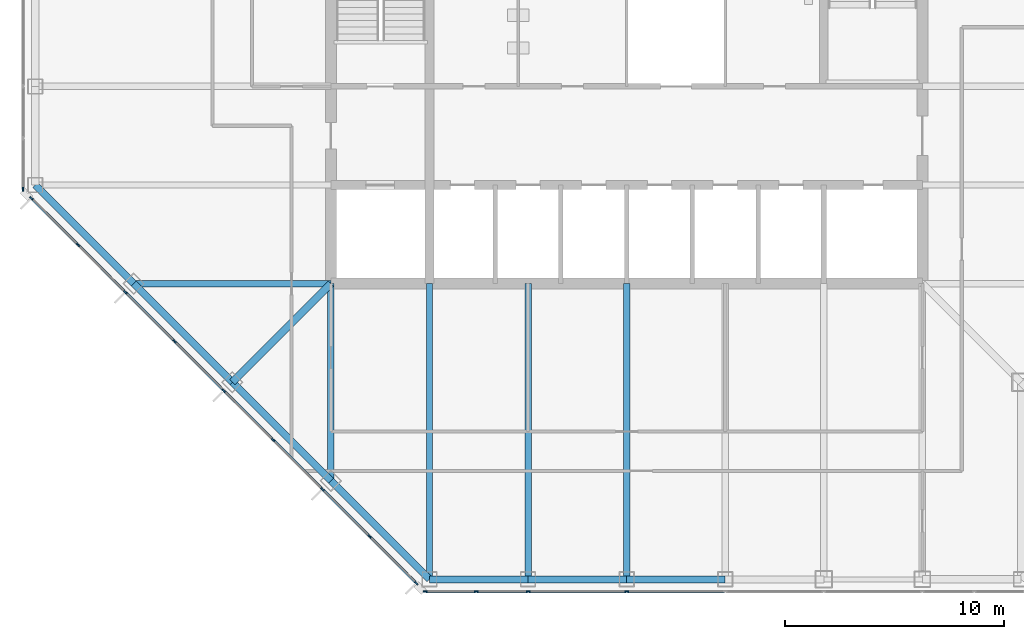
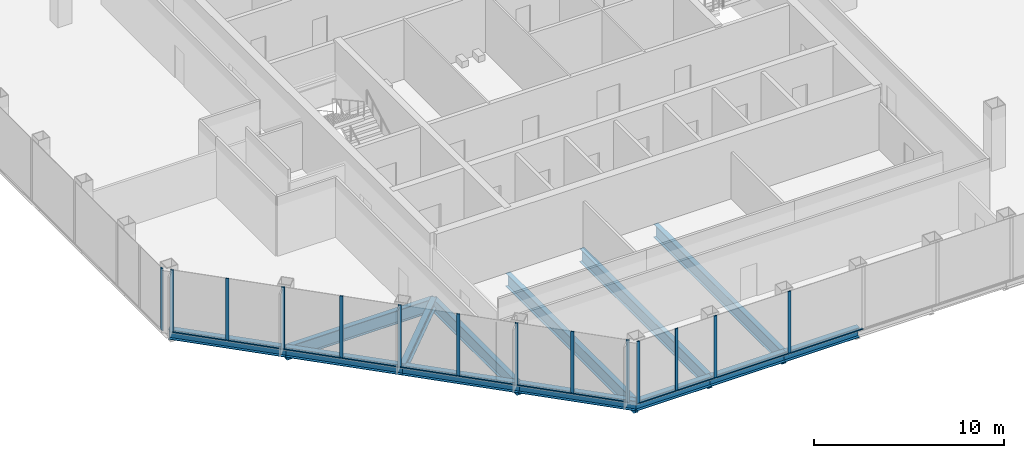
# One storey, part 2 of 13: 26 members, 13 beams, 3 elements without a shape of their own.
"""IFC4 building model written with IfcOpenShell, lengths in metres."""

from ifc_helpers import new_model, si_unit, direction, frame, origin, origin_2d, place, context, subcontext, project, spatial, rectangle, i_section, extrude, material, material_profile, profile_set, type_object, element, aggregate, save


model = new_model("IFC4")

# Units and contexts
model_context = context("Model", 3, precision=1e-05, world=origin(), true_north=direction((0.0, 1.0)))
body_context = subcontext(model_context, "Body", "Model", "MODEL_VIEW")
ifc_project = project(units=[si_unit("LENGTHUNIT", "METRE"), si_unit("AREAUNIT", "SQUARE_METRE"), si_unit("VOLUMEUNIT", "CUBIC_METRE"), si_unit("PLANEANGLEUNIT", "RADIAN"), si_unit("MASSUNIT", "GRAM", prefix="KILO")], contexts=[model_context])

# Site, building, storey
site_placement = place(None, origin())
site = spatial("IfcSite", under=ifc_project, at=site_placement, CompositionType="ELEMENT")
building_placement = place(site_placement, origin())
building = spatial("IfcBuilding", under=site, at=building_placement, Name="Corais Broadcast Tower", CompositionType="ELEMENT")
storey_placement = place(building_placement, frame((0.0, 0.0, 171.60009765625)))
storey = spatial("IfcBuildingStorey", under=building, at=storey_placement, Name="L39", CompositionType="ELEMENT", Elevation=171.60009765625)

# Beams
ifc_material_1 = material(Name="Steel ASTM A572 Grade 50", Category="steel")
ifc_material_profile_1 = material_profile(ifc_material_1, i_section(OverallWidth=0.323974609375, OverallDepth=0.611083984375, WebThickness=0.0126953125, FlangeThickness=0.01904296875, at=origin_2d()), Name="W610x155")
ifc_profile_set_1 = profile_set([ifc_material_profile_1], Name="Steel ASTM A572 Grade 50")
beam_type_1 = type_object("IfcBeamType", Name="Corner diagonal W610x155", PredefinedType="BEAM", material=ifc_profile_set_1)
beam_1_placement = place(storey_placement, frame((9.0, 9.0, -0.465576171875), z_axis=(0.707106781187, 0.707106781187, 0.0), x_axis=(-0.707106781187, 0.707106781187, 0.0)))
element("IfcBeam", 1, at=beam_1_placement, inside=storey, type_object=beam_type_1, Name="B6 C/5 to D/6", PredefinedType="BEAM", context=body_context, shape_type="SweptSolid", body=[
    extrude(i_section(OverallWidth=0.323974609375, OverallDepth=0.611083984375, WebThickness=0.0126953125, FlangeThickness=0.01904296875, at=origin_2d()), origin(), (0.0, 0.0, 1.0), 6.364013671875),
])
ifc_material_2 = material(Name="Steel ASTM A572 Grade 50", Category="steel")
ifc_material_profile_2 = material_profile(ifc_material_2, i_section(OverallWidth=0.2939453125, OverallDepth=0.85107421875, WebThickness=0.01611328125, FlangeThickness=0.02685546875, at=origin_2d()), Name="W840x226")
ifc_profile_set_2 = profile_set([ifc_material_profile_2], Name="Steel ASTM A572 Grade 50")
beam_type_2 = type_object("IfcBeamType", Name="Floor beam W840x226", PredefinedType="BEAM", material=ifc_profile_set_2)
beam_2_placement = place(storey_placement, frame((13.5, 4.5, -0.585693359375), z_axis=(0.0, 1.0, 0.0), x_axis=(-1.0, 0.0, 0.0)))
element("IfcBeam", 2, at=beam_2_placement, inside=storey, type_object=beam_type_2, Name="B1 B/6 to D/6", PredefinedType="BEAM", context=body_context, shape_type="SweptSolid", body=[
    extrude(i_section(OverallWidth=0.2939453125, OverallDepth=0.85107421875, WebThickness=0.01611328125, FlangeThickness=0.02685546875, at=origin_2d()), origin(), (0.0, 0.0, 1.0), 9.0),
])
for number, where, z_axis, x_axis, name in (
    (3, (18.0, 0.0, -0.585693359375), (0.0, 1.0, 0.0), (-1.0, 0.0, 0.0), "B1 A/7 to D/7"),
    (4, (22.5, 0.0, -0.585693359375), (0.0, 1.0, 0.0), (-1.0, 0.0, 0.0), "B1 A/8 to D/8"),
    (5, (27.0, 0.0, -0.585693359375), (0.0, 1.0, 0.0), (-1.0, 0.0, 0.0), "B1 A/9 to D/9"),
):
    element("IfcBeam", number, at=place(storey_placement, frame(where, z_axis=z_axis, x_axis=x_axis)), inside=storey, type_object=beam_type_2, Name=name, PredefinedType="BEAM", context=body_context, shape_type="SweptSolid", body=[
        extrude(i_section(OverallWidth=0.2939453125, OverallDepth=0.85107421875, WebThickness=0.01611328125, FlangeThickness=0.02685546875, at=origin_2d()), origin(), (0.0, 0.0, 1.0), 13.5),
    ])
beam_3_placement = place(storey_placement, frame((4.5, 13.5, -0.585693359375), z_axis=(1.0, 0.0, 0.0), x_axis=(0.0, 1.0, 0.0)))
element("IfcBeam", 6, at=beam_3_placement, inside=storey, type_object=beam_type_2, Name="B1 D/4 to D/6", PredefinedType="BEAM", context=body_context, shape_type="SweptSolid", body=[
    extrude(i_section(OverallWidth=0.2939453125, OverallDepth=0.85107421875, WebThickness=0.01611328125, FlangeThickness=0.02685546875, at=origin_2d()), origin(), (0.0, 0.0, 1.0), 9.0),
])

# Curtain wall, members
ifc_material_3 = material(Name="Aluminium and glass", Category="aluminium")
curtain_wall_type = type_object("IfcCurtainWallType", Name="Unitised fritted curtain wall CW2", PredefinedType="NOTDEFINED", material=ifc_material_3)
curtain_wall_1_placement = place(storey_placement, origin())
curtain_wall_1 = element("IfcCurtainWall", 7, at=curtain_wall_1_placement, inside=storey, type_object=curtain_wall_type, Name="CW2 curtain wall L39 1", PredefinedType="NOTDEFINED")
ifc_material_4 = material(Name="Aluminium 6063-T6", Category="aluminium")
ifc_material_profile_3 = material_profile(ifc_material_4, rectangle(XDim=0.06494140625, YDim=0.179931640625, at=origin_2d()), Name="Mullion CW2 65x180")
ifc_profile_set_3 = profile_set([ifc_material_profile_3], Name="Aluminium 6063-T6")
member_type_1 = type_object("IfcMemberType", Name="Mullion CW2 65x180", PredefinedType="MULLION", material=ifc_profile_set_3)
member_1_placement = place(storey_placement, frame((17.3955078125, -0.17333984375, 0.0), z_axis=(0.0, 0.0, 1.0), x_axis=(-0.707106781187, -0.707106781187, 0.0)))
member_1 = element("IfcMember", 8, at=member_1_placement, type_object=member_type_1, Name="CW2 mullion 1", PredefinedType="MULLION", context=body_context, shape_type="SweptSolid", body=[
    extrude(rectangle(XDim=0.06494140625, YDim=0.179931640625, at=origin_2d()), origin(), (0.0, 0.0, 1.0), 4.0),
])
member_2_placement = place(storey_placement, frame((15.264892578125, 1.957275390625, 0.0), z_axis=(0.0, 0.0, 1.0), x_axis=(-0.707106781187, -0.707106781187, 0.0)))
member_2 = element("IfcMember", 9, at=member_2_placement, type_object=member_type_1, Name="CW2 mullion 2", PredefinedType="MULLION", context=body_context, shape_type="SweptSolid", body=[
    extrude(rectangle(XDim=0.06494140625, YDim=0.179931640625, at=origin_2d()), origin(), (0.0, 0.0, 1.0), 4.0),
])
member_3_placement = place(storey_placement, frame((13.111083984375, 4.111083984375, 0.0), z_axis=(0.0, 0.0, 1.0), x_axis=(-0.707106781187, -0.707106781187, 0.0)))
member_3 = element("IfcMember", 10, at=member_3_placement, type_object=member_type_1, Name="CW2 mullion 3", PredefinedType="MULLION", context=body_context, shape_type="SweptSolid", body=[
    extrude(rectangle(XDim=0.06494140625, YDim=0.179931640625, at=origin_2d()), origin(), (0.0, 0.0, 1.0), 4.0),
])
member_4_placement = place(storey_placement, frame((10.861083984375, 6.361083984375, 0.0), z_axis=(0.0, 0.0, 1.0), x_axis=(-0.707106781187, -0.707106781187, 0.0)))
member_4 = element("IfcMember", 11, at=member_4_placement, type_object=member_type_1, Name="CW2 mullion 4", PredefinedType="MULLION", context=body_context, shape_type="SweptSolid", body=[
    extrude(rectangle(XDim=0.06494140625, YDim=0.179931640625, at=origin_2d()), origin(), (0.0, 0.0, 1.0), 4.0),
])
member_5_placement = place(storey_placement, frame((8.611083984375, 8.611083984375, 0.0), z_axis=(0.0, 0.0, 1.0), x_axis=(-0.707106781187, -0.707106781187, 0.0)))
member_5 = element("IfcMember", 12, at=member_5_placement, type_object=member_type_1, Name="CW2 mullion 5", PredefinedType="MULLION", context=body_context, shape_type="SweptSolid", body=[
    extrude(rectangle(XDim=0.06494140625, YDim=0.179931640625, at=origin_2d()), origin(), (0.0, 0.0, 1.0), 4.0),
])
member_6_placement = place(storey_placement, frame((6.361083984375, 10.861083984375, 0.0), z_axis=(0.0, 0.0, 1.0), x_axis=(-0.707106781187, -0.707106781187, 0.0)))
member_6 = element("IfcMember", 13, at=member_6_placement, type_object=member_type_1, Name="CW2 mullion 6", PredefinedType="MULLION", context=body_context, shape_type="SweptSolid", body=[
    extrude(rectangle(XDim=0.06494140625, YDim=0.179931640625, at=origin_2d()), origin(), (0.0, 0.0, 1.0), 4.0),
])
member_7_placement = place(storey_placement, frame((4.111083984375, 13.111083984375, 0.0), z_axis=(0.0, 0.0, 1.0), x_axis=(-0.707106781187, -0.707106781187, 0.0)))
member_7 = element("IfcMember", 14, at=member_7_placement, type_object=member_type_1, Name="CW2 mullion 7", PredefinedType="MULLION", context=body_context, shape_type="SweptSolid", body=[
    extrude(rectangle(XDim=0.06494140625, YDim=0.179931640625, at=origin_2d()), origin(), (0.0, 0.0, 1.0), 4.0),
])
member_8_placement = place(storey_placement, frame((1.957275390625, 15.264892578125, 0.0), z_axis=(0.0, 0.0, 1.0), x_axis=(-0.707106781187, -0.707106781187, 0.0)))
member_8 = element("IfcMember", 15, at=member_8_placement, type_object=member_type_1, Name="CW2 mullion 8", PredefinedType="MULLION", context=body_context, shape_type="SweptSolid", body=[
    extrude(rectangle(XDim=0.06494140625, YDim=0.179931640625, at=origin_2d()), origin(), (0.0, 0.0, 1.0), 4.0),
])
member_9_placement = place(storey_placement, frame((-0.17333984375, 17.3955078125, 0.0), z_axis=(0.0, 0.0, 1.0), x_axis=(-0.707106781187, -0.707106781187, 0.0)))
member_9 = element("IfcMember", 16, at=member_9_placement, type_object=member_type_1, Name="CW2 mullion 9", PredefinedType="MULLION", context=body_context, shape_type="SweptSolid", body=[
    extrude(rectangle(XDim=0.06494140625, YDim=0.179931640625, at=origin_2d()), origin(), (0.0, 0.0, 1.0), 4.0),
])

# Curtain wall, member
curtain_wall_2_placement = place(storey_placement, origin())
curtain_wall_2 = element("IfcCurtainWall", 17, at=curtain_wall_2_placement, inside=storey, type_object=curtain_wall_type, Name="CW2 curtain wall L39 2", PredefinedType="NOTDEFINED")
member_10_placement = place(storey_placement, frame((-0.550048828125, 17.8046875, 0.0), z_axis=(0.0, 0.0, 1.0), x_axis=(-1.0, 0.0, 0.0)))
member_10 = element("IfcMember", 18, at=member_10_placement, type_object=member_type_1, Name="CW2 mullion 1", PredefinedType="MULLION", context=body_context, shape_type="SweptSolid", body=[
    extrude(rectangle(XDim=0.06494140625, YDim=0.179931640625, at=origin_2d()), origin(), (0.0, 0.0, 1.0), 4.0),
])
aggregate(curtain_wall_2, [member_10])

# Curtain wall, members
curtain_wall_3_placement = place(storey_placement, origin())
curtain_wall_3 = element("IfcCurtainWall", 19, at=curtain_wall_3_placement, inside=storey, type_object=curtain_wall_type, Name="CW2 curtain wall L39 8", PredefinedType="NOTDEFINED")
member_11_placement = place(storey_placement, frame((27.0, -0.550048828125, 0.0), z_axis=(0.0, 0.0, 1.0), x_axis=(0.0, -1.0, 0.0)))
member_11 = element("IfcMember", 20, at=member_11_placement, type_object=member_type_1, Name="CW2 mullion 6", PredefinedType="MULLION", context=body_context, shape_type="SweptSolid", body=[
    extrude(rectangle(XDim=0.06494140625, YDim=0.179931640625, at=origin_2d()), origin(), (0.0, 0.0, 1.0), 4.0),
])
member_12_placement = place(storey_placement, frame((22.5, -0.550048828125, 0.0), z_axis=(0.0, 0.0, 1.0), x_axis=(0.0, -1.0, 0.0)))
member_12 = element("IfcMember", 21, at=member_12_placement, type_object=member_type_1, Name="CW2 mullion 7", PredefinedType="MULLION", context=body_context, shape_type="SweptSolid", body=[
    extrude(rectangle(XDim=0.06494140625, YDim=0.179931640625, at=origin_2d()), origin(), (0.0, 0.0, 1.0), 4.0),
])
member_13_placement = place(storey_placement, frame((20.135986328125, -0.550048828125, 0.0), z_axis=(0.0, 0.0, 1.0), x_axis=(0.0, -1.0, 0.0)))
member_13 = element("IfcMember", 22, at=member_13_placement, type_object=member_type_1, Name="CW2 mullion 8", PredefinedType="MULLION", context=body_context, shape_type="SweptSolid", body=[
    extrude(rectangle(XDim=0.06494140625, YDim=0.179931640625, at=origin_2d()), origin(), (0.0, 0.0, 1.0), 4.0),
])
member_14_placement = place(storey_placement, frame((17.8046875, -0.550048828125, 0.0), z_axis=(0.0, 0.0, 1.0), x_axis=(0.0, -1.0, 0.0)))
member_14 = element("IfcMember", 23, at=member_14_placement, type_object=member_type_1, Name="CW2 mullion 9", PredefinedType="MULLION", context=body_context, shape_type="SweptSolid", body=[
    extrude(rectangle(XDim=0.06494140625, YDim=0.179931640625, at=origin_2d()), origin(), (0.0, 0.0, 1.0), 4.0),
])

# Beams
ifc_material_5 = material(Name="Steel ASTM A572 Grade 50", Category="steel")
ifc_material_profile_4 = material_profile(ifc_material_5, i_section(OverallWidth=0.3291015625, OverallDepth=0.635009765625, WebThickness=0.017822265625, FlangeThickness=0.031005859375, at=origin_2d()), Name="W610x241")
ifc_profile_set_4 = profile_set([ifc_material_profile_4], Name="Steel ASTM A572 Grade 50")
beam_type_3 = type_object("IfcBeamType", Name="Spandrel W610x241", PredefinedType="BEAM", material=ifc_profile_set_4)
for number, where, z_axis, x_axis, name in (
    (24, (0.0, 18.0, -0.4775390625), (0.707106781187, -0.707106781187, 0.0), (0.707106781187, 0.707106781187, 0.0), "SB1 E/3 to D/4"),
    (25, (13.5, 4.5, -0.4775390625), (0.707106781187, -0.707106781187, 0.0), (0.707106781187, 0.707106781187, 0.0), "SB1 B/6 to A/7"),
):
    element("IfcBeam", number, at=place(storey_placement, frame(where, z_axis=z_axis, x_axis=x_axis)), inside=storey, type_object=beam_type_3, Name=name, PredefinedType="BEAM", context=body_context, shape_type="SweptSolid", body=[
        extrude(i_section(OverallWidth=0.3291015625, OverallDepth=0.635009765625, WebThickness=0.017822265625, FlangeThickness=0.031005859375, at=origin_2d()), origin(), (0.0, 0.0, 1.0), 6.364013671875),
    ])
for number, where, z_axis, x_axis, name in (
    (26, (18.0, 0.0, -0.4775390625), (1.0, 0.0, 0.0), (0.0, 1.0, 0.0), "SB1 A/7 to A/8"),
    (27, (22.5, 0.0, -0.4775390625), (1.0, 0.0, 0.0), (0.0, 1.0, 0.0), "SB1 A/8 to A/9"),
    (28, (27.0, 0.0, -0.4775390625), (1.0, 0.0, 0.0), (0.0, 1.0, 0.0), "SB1 A/9 to A/10"),
):
    element("IfcBeam", number, at=place(storey_placement, frame(where, z_axis=z_axis, x_axis=x_axis)), inside=storey, type_object=beam_type_3, Name=name, PredefinedType="BEAM", context=body_context, shape_type="SweptSolid", body=[
        extrude(i_section(OverallWidth=0.3291015625, OverallDepth=0.635009765625, WebThickness=0.017822265625, FlangeThickness=0.031005859375, at=origin_2d()), origin(), (0.0, 0.0, 1.0), 4.5),
    ])
for number, where, z_axis, x_axis, name in (
    (29, (4.5, 13.5, -0.4775390625), (0.707106781187, -0.707106781187, 0.0), (0.707106781187, 0.707106781187, 0.0), "SB1 D/4 to C/5"),
    (30, (9.0, 9.0, -0.4775390625), (0.707106781187, -0.707106781187, 0.0), (0.707106781187, 0.707106781187, 0.0), "SB1 C/5 to B/6"),
):
    element("IfcBeam", number, at=place(storey_placement, frame(where, z_axis=z_axis, x_axis=x_axis)), inside=storey, type_object=beam_type_3, Name=name, PredefinedType="BEAM", context=body_context, shape_type="SweptSolid", body=[
        extrude(i_section(OverallWidth=0.3291015625, OverallDepth=0.635009765625, WebThickness=0.017822265625, FlangeThickness=0.031005859375, at=origin_2d()), origin(), (0.0, 0.0, 1.0), 6.364013671875),
    ])

# Member
ifc_material_6 = material(Name="Aluminium 6063-T6", Category="aluminium")
ifc_material_profile_5 = material_profile(ifc_material_6, rectangle(XDim=0.1298828125, YDim=0.06494140625, at=origin_2d()), Name="Transom CW2 65x130")
ifc_profile_set_5 = profile_set([ifc_material_profile_5], Name="Aluminium 6063-T6")
member_type_2 = type_object("IfcMemberType", Name="Transom CW2 65x130", PredefinedType="USERDEFINED", material=ifc_profile_set_5)
member_15_placement = place(storey_placement, frame((17.37255859375, -0.150390625, 0.032470703125), z_axis=(-0.707106781187, 0.707106781187, 0.0), x_axis=(-0.707106781187, -0.707106781187, 0.0)))
member_15 = element("IfcMember", 31, at=member_15_placement, type_object=member_type_2, Name="CW2 transom 1.1", ObjectType="TRANSOM", PredefinedType="USERDEFINED", context=body_context, shape_type="SweptSolid", body=[
    extrude(rectangle(XDim=0.1298828125, YDim=0.06494140625, at=origin_2d()), origin(), (0.0, 0.0, 1.0), 2.9482421875),
])

member_16_placement = place(storey_placement, frame((15.241943359375, 1.980224609375, 0.032470703125), z_axis=(-0.707106781187, 0.707106781187, 0.0), x_axis=(-0.707106781187, -0.707106781187, 0.0)))
member_16 = element("IfcMember", 32, at=member_16_placement, type_object=member_type_2, Name="CW2 transom 2.1", ObjectType="TRANSOM", PredefinedType="USERDEFINED", context=body_context, shape_type="SweptSolid", body=[
    extrude(rectangle(XDim=0.1298828125, YDim=0.06494140625, at=origin_2d()), origin(), (0.0, 0.0, 1.0), 2.98095703125),
])

member_17_placement = place(storey_placement, frame((13.088134765625, 4.134033203125, 0.032470703125), z_axis=(-0.707106781187, 0.707106781187, 0.0), x_axis=(-0.707106781187, -0.707106781187, 0.0)))
member_17 = element("IfcMember", 33, at=member_17_placement, type_object=member_type_2, Name="CW2 transom 3.1", ObjectType="TRANSOM", PredefinedType="USERDEFINED", context=body_context, shape_type="SweptSolid", body=[
    extrude(rectangle(XDim=0.1298828125, YDim=0.06494140625, at=origin_2d()), origin(), (0.0, 0.0, 1.0), 3.1171875),
])

member_18_placement = place(storey_placement, frame((10.838134765625, 6.384033203125, 0.032470703125), z_axis=(-0.707106781187, 0.707106781187, 0.0), x_axis=(-0.707106781187, -0.707106781187, 0.0)))
member_18 = element("IfcMember", 34, at=member_18_placement, type_object=member_type_2, Name="CW2 transom 4.1", ObjectType="TRANSOM", PredefinedType="USERDEFINED", context=body_context, shape_type="SweptSolid", body=[
    extrude(rectangle(XDim=0.1298828125, YDim=0.06494140625, at=origin_2d()), origin(), (0.0, 0.0, 1.0), 3.1171875),
])

member_19_placement = place(storey_placement, frame((8.588134765625, 8.634033203125, 0.032470703125), z_axis=(-0.707106781187, 0.707106781187, 0.0), x_axis=(-0.707106781187, -0.707106781187, 0.0)))
member_19 = element("IfcMember", 35, at=member_19_placement, type_object=member_type_2, Name="CW2 transom 5.1", ObjectType="TRANSOM", PredefinedType="USERDEFINED", context=body_context, shape_type="SweptSolid", body=[
    extrude(rectangle(XDim=0.1298828125, YDim=0.06494140625, at=origin_2d()), origin(), (0.0, 0.0, 1.0), 3.1171875),
])

member_20_placement = place(storey_placement, frame((6.338134765625, 10.884033203125, 0.032470703125), z_axis=(-0.707106781187, 0.707106781187, 0.0), x_axis=(-0.707106781187, -0.707106781187, 0.0)))
member_20 = element("IfcMember", 36, at=member_20_placement, type_object=member_type_2, Name="CW2 transom 6.1", ObjectType="TRANSOM", PredefinedType="USERDEFINED", context=body_context, shape_type="SweptSolid", body=[
    extrude(rectangle(XDim=0.1298828125, YDim=0.06494140625, at=origin_2d()), origin(), (0.0, 0.0, 1.0), 3.1171875),
])

member_21_placement = place(storey_placement, frame((4.088134765625, 13.134033203125, 0.032470703125), z_axis=(-0.707065828661, 0.70714773134, 0.0), x_axis=(-0.70714773134, -0.707065828661, 0.0)))
member_21 = element("IfcMember", 37, at=member_21_placement, type_object=member_type_2, Name="CW2 transom 7.1", ObjectType="TRANSOM", PredefinedType="USERDEFINED", context=body_context, shape_type="SweptSolid", body=[
    extrude(rectangle(XDim=0.1298828125, YDim=0.06494140625, at=origin_2d()), origin(), (0.0, 0.0, 1.0), 2.98095703125),
])

member_22_placement = place(storey_placement, frame((1.934326171875, 15.287841796875, 0.032470703125), z_axis=(-0.707106781187, 0.707106781187, 0.0), x_axis=(-0.707106781187, -0.707106781187, 0.0)))
member_22 = element("IfcMember", 38, at=member_22_placement, type_object=member_type_2, Name="CW2 transom 8.1", ObjectType="TRANSOM", PredefinedType="USERDEFINED", context=body_context, shape_type="SweptSolid", body=[
    extrude(rectangle(XDim=0.1298828125, YDim=0.06494140625, at=origin_2d()), origin(), (0.0, 0.0, 1.0), 2.9482421875),
])

aggregate(curtain_wall_1, [member_1, member_2, member_3, member_4, member_5, member_6, member_7, member_8, member_9, member_15, member_16, member_17, member_18, member_19, member_20, member_21, member_22])

member_23_placement = place(storey_placement, frame((31.467529296875, -0.550048828125, 0.032470703125), z_axis=(-1.0, 0.0, 0.0), x_axis=(0.0, -1.0, 0.0)))
member_23 = element("IfcMember", 39, at=member_23_placement, type_object=member_type_2, Name="CW2 transom 5.1", ObjectType="TRANSOM", PredefinedType="USERDEFINED", context=body_context, shape_type="SweptSolid", body=[
    extrude(rectangle(XDim=0.1298828125, YDim=0.06494140625, at=origin_2d()), origin(), (0.0, 0.0, 1.0), 4.43505859375),
])

member_24_placement = place(storey_placement, frame((26.967529296875, -0.550048828125, 0.032470703125), z_axis=(-1.0, 0.0, 0.0), x_axis=(0.0, -1.0, 0.0)))
member_24 = element("IfcMember", 40, at=member_24_placement, type_object=member_type_2, Name="CW2 transom 6.1", ObjectType="TRANSOM", PredefinedType="USERDEFINED", context=body_context, shape_type="SweptSolid", body=[
    extrude(rectangle(XDim=0.1298828125, YDim=0.06494140625, at=origin_2d()), origin(), (0.0, 0.0, 1.0), 4.43505859375),
])

member_25_placement = place(storey_placement, frame((22.467529296875, -0.550048828125, 0.032470703125), z_axis=(-1.0, 0.0, 0.0), x_axis=(0.0, -1.0, 0.0)))
member_25 = element("IfcMember", 41, at=member_25_placement, type_object=member_type_2, Name="CW2 transom 7.1", ObjectType="TRANSOM", PredefinedType="USERDEFINED", context=body_context, shape_type="SweptSolid", body=[
    extrude(rectangle(XDim=0.1298828125, YDim=0.06494140625, at=origin_2d()), origin(), (0.0, 0.0, 1.0), 2.298828125),
])

member_26_placement = place(storey_placement, frame((20.103515625, -0.550048828125, 0.032470703125), z_axis=(-1.0, 0.0, 0.0), x_axis=(0.0, -1.0, 0.0)))
member_26 = element("IfcMember", 42, at=member_26_placement, type_object=member_type_2, Name="CW2 transom 8.1", ObjectType="TRANSOM", PredefinedType="USERDEFINED", context=body_context, shape_type="SweptSolid", body=[
    extrude(rectangle(XDim=0.1298828125, YDim=0.06494140625, at=origin_2d()), origin(), (0.0, 0.0, 1.0), 2.266357421875),
])

aggregate(curtain_wall_3, [member_11, member_12, member_13, member_14, member_23, member_24, member_25, member_26])

save(model, "model.ifc")
